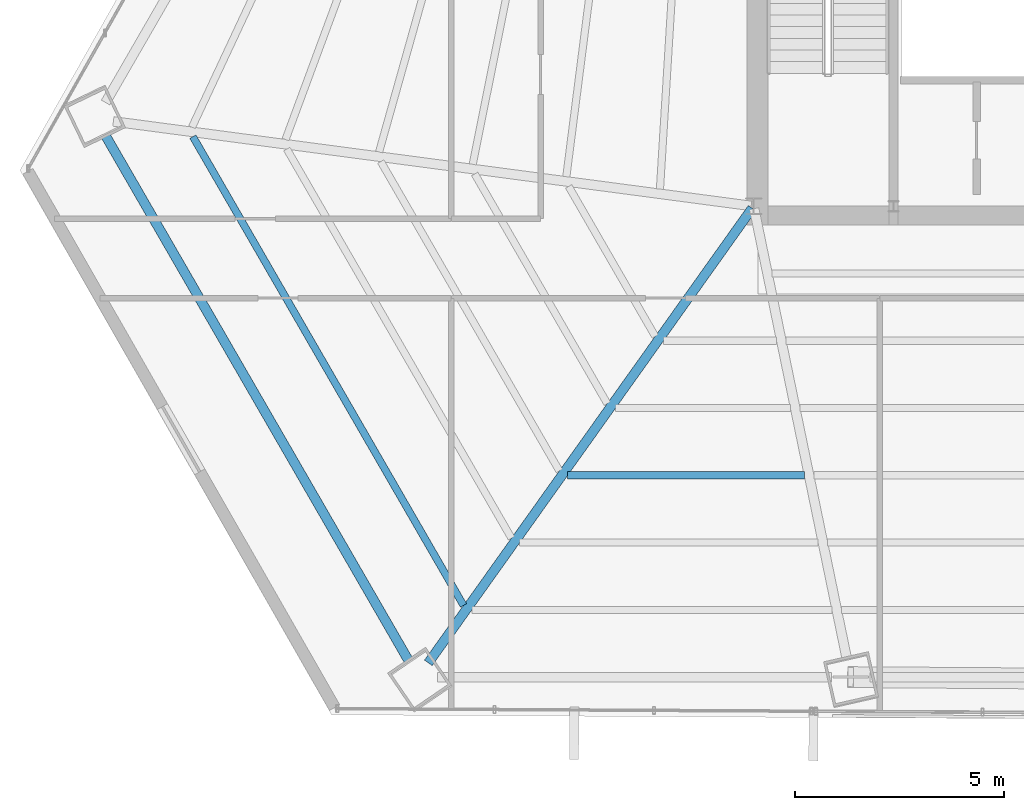
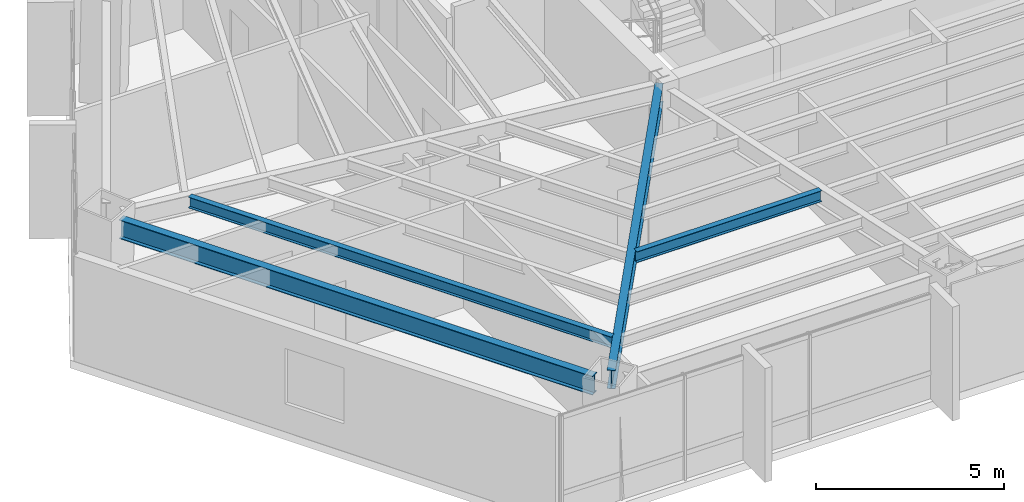
# One storey, part 5 of 35: 4 beams.
"""IFC4 building model written with IfcOpenShell, lengths in metres."""

from ifc_helpers import new_model, si_unit, direction, frame, origin, origin_2d, place, context, subcontext, project, spatial, i_section, extrude, source, transform, mapped, material, material_profile, profile_set, type_object, type_shapes, element, save


model = new_model("IFC4")

# Units and contexts
model_context = context("Model", 3, precision=1e-05, world=origin(), true_north=direction((0.0, 1.0)))
body_context = subcontext(model_context, "Body", "Model", "MODEL_VIEW")
ifc_project = project(units=[si_unit("LENGTHUNIT", "METRE"), si_unit("AREAUNIT", "SQUARE_METRE"), si_unit("VOLUMEUNIT", "CUBIC_METRE"), si_unit("PLANEANGLEUNIT", "RADIAN"), si_unit("MASSUNIT", "GRAM", prefix="KILO")], contexts=[model_context])

# Site, building, storey
site_placement = place(None, origin())
site = spatial("IfcSite", under=ifc_project, at=site_placement, CompositionType="ELEMENT")
building_placement = place(site_placement, origin())
building = spatial("IfcBuilding", under=site, at=building_placement, Name="Caelisora Broadcast Tower", CompositionType="ELEMENT")
storey_placement = place(building_placement, frame((0.0, 0.0, 90.800048828125)))
storey = spatial("IfcBuildingStorey", under=building, at=storey_placement, Name="L23", CompositionType="ELEMENT", Elevation=90.800048828125)

# Beams
ifc_material = material(Name="Steel Grade 350 (AS/NZS 3679.1)", Category="steel")
ifc_material_profile_1 = material_profile(ifc_material, i_section(OverallWidth=0.22900390625, OverallDepth=0.611572265625, WebThickness=0.011962890625, FlangeThickness=0.01953125, at=origin_2d()), Name="Steel Grade 350 (AS/NZS 3679.1)")
ifc_profile_set_1 = profile_set([ifc_material_profile_1], Name="Steel Grade 350 (AS/NZS 3679.1)")
beam_type_1 = type_object("IfcBeamType", Name="PG03", PredefinedType="BEAM", material=ifc_profile_set_1)
shared_shape_1 = source(origin(), body_context, "Body", "SweptSolid", [
    extrude(i_section(OverallWidth=0.22900390625, OverallDepth=0.611572265625, WebThickness=0.011962890625, FlangeThickness=0.01953125, at=origin_2d()), origin(), (0.0, 0.0, 1.0), 14.50927734375),
])
type_shapes(beam_type_1, [shared_shape_1])
beam_1_placement = place(storey_placement, frame((14.982666015625, 19.087890625, 3.09423828125), z_axis=(0.499999196686, -0.866025867577, 0.0), x_axis=(0.866025867577, 0.499999196686, 0.0)))
element("IfcBeam", 1, at=beam_1_placement, inside=storey, type_object=beam_type_1, Name="L23 beam PG03", PredefinedType="BEAM", context=body_context, shape_type="MappedRepresentation", body=[
    mapped(shared_shape_1, transform((0.0, 0.0, 0.0), scale=1.0)),
])
ifc_material_profile_2 = material_profile(ifc_material, i_section(OverallWidth=0.22802734375, OverallDepth=0.602294921875, WebThickness=0.010498046875, FlangeThickness=0.014892578125, at=origin_2d()), Name="Steel Grade 350 (AS/NZS 3679.1)")
ifc_profile_set_2 = profile_set([ifc_material_profile_2], Name="Steel Grade 350 (AS/NZS 3679.1)")
beam_type_2 = type_object("IfcBeamType", Name="PG04", PredefinedType="BEAM", material=ifc_profile_set_2)
shared_shape_2 = source(origin(), body_context, "Body", "SweptSolid", [
    extrude(i_section(OverallWidth=0.22802734375, OverallDepth=0.602294921875, WebThickness=0.010498046875, FlangeThickness=0.014892578125, at=origin_2d()), origin(), (0.0, 0.0, 1.0), 13.3642578125),
])
type_shapes(beam_type_2, [shared_shape_2])
beam_2_placement = place(storey_placement, frame((30.465087890625, 17.35107421875, 3.098876953125), z_axis=(-0.580212991409, -0.814464784137, 0.0), x_axis=(0.814464784137, -0.580212991409, 0.0)))
element("IfcBeam", 2, at=beam_2_placement, inside=storey, type_object=beam_type_2, Name="L23 beam PG04", PredefinedType="BEAM", context=body_context, shape_type="MappedRepresentation", body=[
    mapped(shared_shape_2, transform((0.0, 0.0, 0.0), scale=1.0)),
])
ifc_material_profile_3 = material_profile(ifc_material, i_section(OverallWidth=0.172119140625, OverallDepth=0.358642578125, WebThickness=0.008056640625, FlangeThickness=0.012939453125, at=origin_2d()), Name="Steel Grade 350 (AS/NZS 3679.1)")
ifc_profile_set_3 = profile_set([ifc_material_profile_3], Name="Steel Grade 350 (AS/NZS 3679.1)")
beam_type_3 = type_object("IfcBeamType", Name="SB02", PredefinedType="JOIST", material=ifc_profile_set_3)
shared_shape_3 = source(origin(), body_context, "Body", "SweptSolid", [
    extrude(i_section(OverallWidth=0.172119140625, OverallDepth=0.358642578125, WebThickness=0.008056640625, FlangeThickness=0.012939453125, at=origin_2d()), origin(), (0.0, 0.0, 1.0), 12.9619140625),
])
beam_3_placement = place(storey_placement, frame((17.07275390625, 19.066162109375, 3.220703125), z_axis=(0.500000169135, -0.866025306134, 0.0), x_axis=(0.866025306134, 0.500000169135, 0.0)))
element("IfcBeam", 3, at=beam_3_placement, inside=storey, type_object=beam_type_3, Name="L23 beam SB02", PredefinedType="JOIST", context=body_context, shape_type="MappedRepresentation", body=[
    mapped(shared_shape_3, transform((0.0, 0.0, 0.0), scale=1.0)),
])
shared_shape_4 = source(origin(), body_context, "Body", "SweptSolid", [
    extrude(i_section(OverallWidth=0.172119140625, OverallDepth=0.358642578125, WebThickness=0.008056640625, FlangeThickness=0.012939453125, at=origin_2d()), origin(), (0.0, 0.0, 1.0), 5.666748046875),
])
type_shapes(beam_type_3, [shared_shape_3, shared_shape_4])
beam_4_placement = place(storey_placement, frame((26.046875, 10.95654296875, 3.220703125), z_axis=(1.0, 0.0, 0.0), x_axis=(0.0, 1.0, 0.0)))
element("IfcBeam", 4, at=beam_4_placement, inside=storey, type_object=beam_type_3, Name="L23 beam SB02", PredefinedType="JOIST", context=body_context, shape_type="MappedRepresentation", body=[
    mapped(shared_shape_4, transform((0.0, 0.0, 0.0), scale=1.0)),
])

save(model, "model.ifc")
